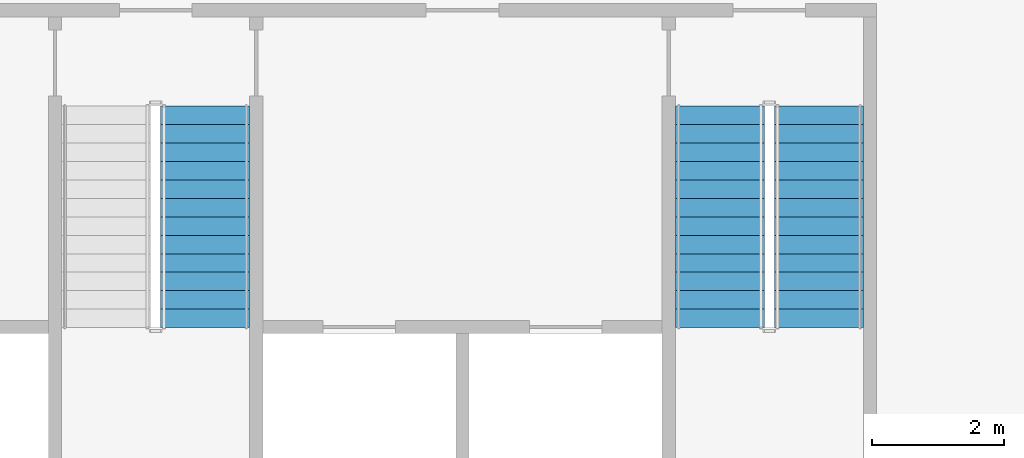
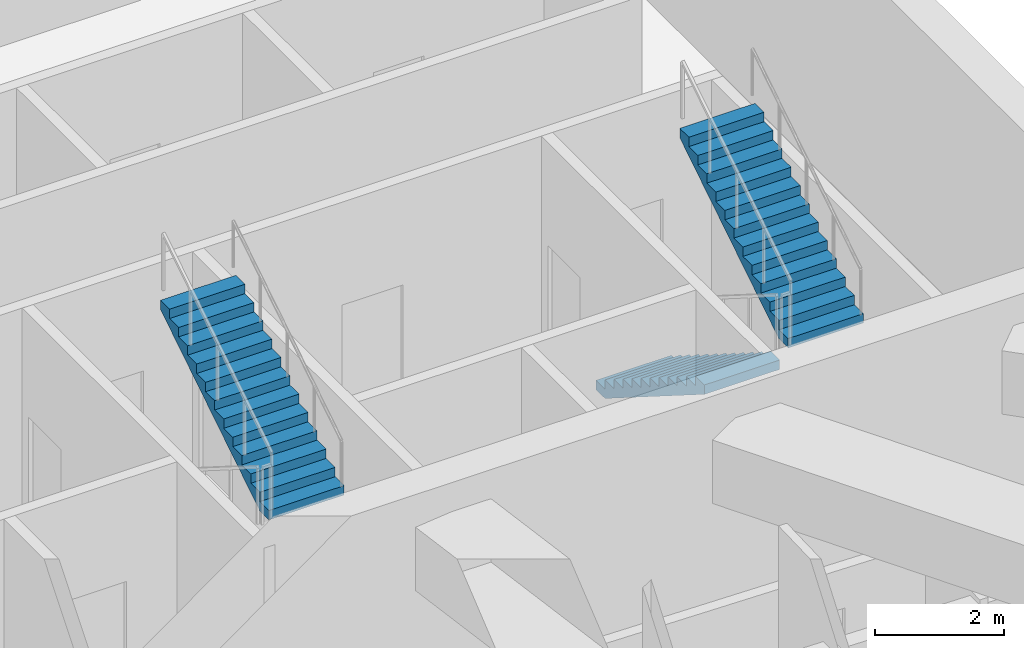
# One storey, part 13 of 19: 3 stair flights, 2 elements without a shape of their own.
"""IFC4 building model written with IfcOpenShell, lengths in metres."""

from ifc_helpers import new_model, si_unit, direction, frame, origin, place, context, subcontext, project, spatial, polyline, outline, extrude, material, type_object, element, aggregate, save


model = new_model("IFC4")

# Units and contexts
model_context = context("Model", 3, precision=1e-05, world=origin(), true_north=direction((0.0, 1.0)))
body_context = subcontext(model_context, "Body", "Model", "MODEL_VIEW")
ifc_project = project(units=[si_unit("LENGTHUNIT", "METRE"), si_unit("AREAUNIT", "SQUARE_METRE"), si_unit("VOLUMEUNIT", "CUBIC_METRE"), si_unit("PLANEANGLEUNIT", "RADIAN"), si_unit("MASSUNIT", "GRAM", prefix="KILO")], contexts=[model_context])

# Site, building, storey
site_placement = place(None, origin())
site = spatial("IfcSite", under=ifc_project, at=site_placement, CompositionType="ELEMENT")
building_placement = place(site_placement, origin())
building = spatial("IfcBuilding", under=site, at=building_placement, Name="Mangrove Gate Tower", CompositionType="ELEMENT")
storey_placement = place(building_placement, frame((0.0, 0.0, 346.10009765625)))
storey = spatial("IfcBuildingStorey", under=building, at=storey_placement, Name="L88", CompositionType="ELEMENT", Elevation=346.10009765625)

# Stair, stair flight
ifc_material_1 = material(Name="Concrete C40/50", Category="concrete")
stair_type = type_object("IfcStairType", Name="Core stair 1350", PredefinedType="HALF_TURN_STAIR", material=ifc_material_1)
stair_1_placement = place(storey_placement, origin())
stair_1 = element("IfcStair", 1, at=stair_1_placement, inside=storey, type_object=stair_type, Name="L88 Stair 2", PredefinedType="HALF_TURN_STAIR")
ifc_material_2 = material(Name="Concrete C40/50", Category="concrete")
stair_flight_type = type_object("IfcStairFlightType", Name="Core stair flight 1350", PredefinedType="STRAIGHT", material=ifc_material_2)
stair_flight_1_placement = place(storey_placement, frame((0.72509765625, -8.010009765625, 2.2998046875), z_axis=(0.0, 0.0, 1.0), x_axis=(0.0, 1.0, 0.0)))
stair_flight_1 = element("IfcStairFlight", 2, at=stair_flight_1_placement, type_object=stair_flight_type, Name="ST2 flight 2", NumberOfRisers=13, NumberOfTreads=12, PredefinedType="STRAIGHT", RiserHeight=0.176923077, TreadLength=0.28, context=body_context, shape_type="SweptSolid", body=[
    extrude(outline(polyline([(0.0, 0.0), (0.0, 0.177001953125), (0.280029296875, 0.177001953125), (0.280029296875, 0.353759765625), (0.56005859375, 0.353759765625), (0.56005859375, 0.53076171875), (0.840087890625, 0.53076171875), (0.840087890625, 0.707763671875), (1.1201171875, 0.707763671875), (1.1201171875, 0.884521484375), (1.39990234375, 0.884521484375), (1.39990234375, 1.0615234375), (1.679931640625, 1.0615234375), (1.679931640625, 1.238525390625), (1.9599609375, 1.238525390625), (1.9599609375, 1.415283203125), (2.239990234375, 1.415283203125), (2.239990234375, 1.59228515625), (2.52001953125, 1.59228515625), (2.52001953125, 1.769287109375), (2.800048828125, 1.769287109375), (2.800048828125, 1.946044921875), (3.080078125, 1.946044921875), (3.080078125, 2.123046875), (3.360107421875, 2.123046875), (3.360107421875, 2.300048828125), (3.360107421875, 1.94580078125), (0.280517578125, 0.0), (0.0, 0.0)])), frame((0.0, 0.675048828125, 0.0), z_axis=(0.0, -1.0, 0.0), x_axis=(1.0, 0.0, 0.0)), (0.0, 0.0, 1.0), 1.35009765625),
])
aggregate(stair_1, [stair_flight_1])

# Stair, stair flights
stair_2_placement = place(storey_placement, origin())
stair_2 = element("IfcStair", 3, at=stair_2_placement, inside=storey, type_object=stair_type, Name="L88 Stair 3", PredefinedType="HALF_TURN_STAIR")
stair_flight_2_placement = place(storey_placement, frame((8.52490234375, -4.64990234375, 0.0), z_axis=(0.0, 0.0, 1.0), x_axis=(0.0, -1.0, 0.0)))
stair_flight_2 = element("IfcStairFlight", 4, at=stair_flight_2_placement, type_object=stair_flight_type, Name="ST3 flight 1", NumberOfRisers=13, NumberOfTreads=12, PredefinedType="STRAIGHT", RiserHeight=0.176923077, TreadLength=0.28, context=body_context, shape_type="SweptSolid", body=[
    extrude(outline(polyline([(0.0, 0.0), (0.0, 0.177001953125), (0.280029296875, 0.177001953125), (0.280029296875, 0.353759765625), (0.56005859375, 0.353759765625), (0.56005859375, 0.53076171875), (0.840087890625, 0.53076171875), (0.840087890625, 0.707763671875), (1.1201171875, 0.707763671875), (1.1201171875, 0.884521484375), (1.39990234375, 0.884521484375), (1.39990234375, 1.0615234375), (1.679931640625, 1.0615234375), (1.679931640625, 1.238525390625), (1.9599609375, 1.238525390625), (1.9599609375, 1.415283203125), (2.239990234375, 1.415283203125), (2.239990234375, 1.59228515625), (2.52001953125, 1.59228515625), (2.52001953125, 1.769287109375), (2.800048828125, 1.769287109375), (2.800048828125, 1.946044921875), (3.080078125, 1.946044921875), (3.080078125, 2.123046875), (3.360107421875, 2.123046875), (3.360107421875, 2.300048828125), (3.360107421875, 1.94580078125), (0.280517578125, 0.0), (0.0, 0.0)])), frame((0.0, 0.675048828125, 0.0), z_axis=(0.0, -1.0, 0.0), x_axis=(1.0, 0.0, 0.0)), (0.0, 0.0, 1.0), 1.35009765625),
])
stair_flight_3_placement = place(storey_placement, frame((10.02490234375, -8.010009765625, 2.2998046875), z_axis=(0.0, 0.0, 1.0), x_axis=(0.0, 1.0, 0.0)))
stair_flight_3 = element("IfcStairFlight", 5, at=stair_flight_3_placement, type_object=stair_flight_type, Name="ST3 flight 2", NumberOfRisers=13, NumberOfTreads=12, PredefinedType="STRAIGHT", RiserHeight=0.176923077, TreadLength=0.28, context=body_context, shape_type="SweptSolid", body=[
    extrude(outline(polyline([(0.0, 0.0), (0.0, 0.177001953125), (0.280029296875, 0.177001953125), (0.280029296875, 0.353759765625), (0.56005859375, 0.353759765625), (0.56005859375, 0.53076171875), (0.840087890625, 0.53076171875), (0.840087890625, 0.707763671875), (1.1201171875, 0.707763671875), (1.1201171875, 0.884521484375), (1.39990234375, 0.884521484375), (1.39990234375, 1.0615234375), (1.679931640625, 1.0615234375), (1.679931640625, 1.238525390625), (1.9599609375, 1.238525390625), (1.9599609375, 1.415283203125), (2.239990234375, 1.415283203125), (2.239990234375, 1.59228515625), (2.52001953125, 1.59228515625), (2.52001953125, 1.769287109375), (2.800048828125, 1.769287109375), (2.800048828125, 1.946044921875), (3.080078125, 1.946044921875), (3.080078125, 2.123046875), (3.360107421875, 2.123046875), (3.360107421875, 2.300048828125), (3.360107421875, 1.94580078125), (0.280517578125, 0.0), (0.0, 0.0)])), frame((0.0, 0.675048828125, 0.0), z_axis=(0.0, -1.0, 0.0), x_axis=(1.0, 0.0, 0.0)), (0.0, 0.0, 1.0), 1.35009765625),
])
aggregate(stair_2, [stair_flight_2, stair_flight_3])

save(model, "model.ifc")
